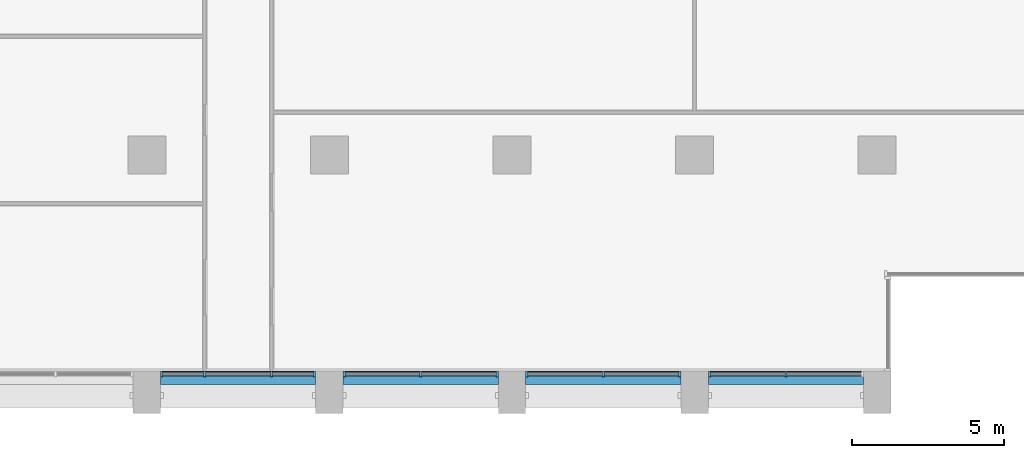
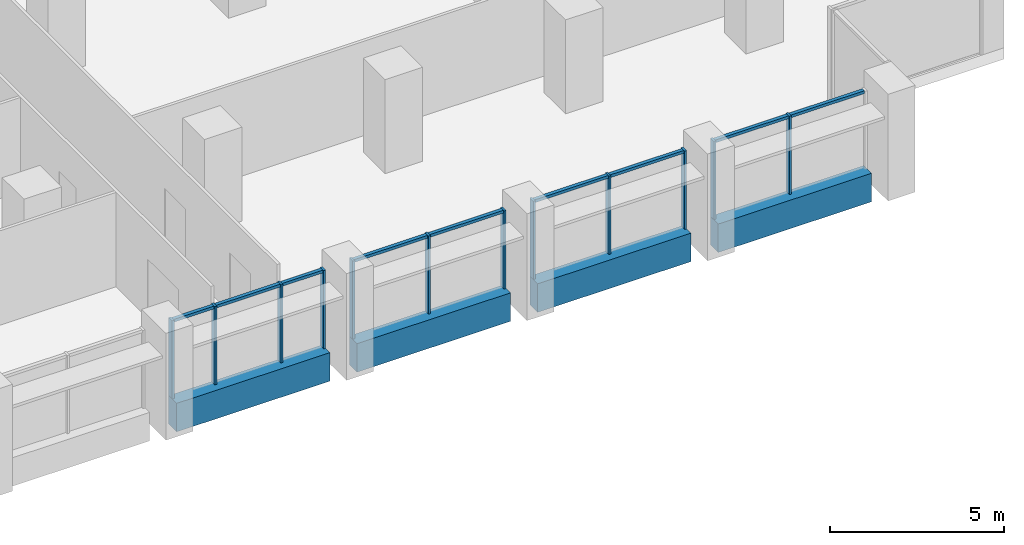
# One storey, part 3 of 15: 21 members, 4 beams, 4 elements without a shape of their own.
"""IFC4 building model written with IfcOpenShell, lengths in metres."""

from ifc_helpers import new_model, si_unit, direction, frame, origin, origin_2d, place, context, subcontext, project, spatial, rectangle, extrude, material, material_profile, profile_set, type_object, element, aggregate, save


model = new_model("IFC4")

# Units and contexts
model_context = context("Model", 3, precision=1e-05, world=origin(), true_north=direction((0.0, 1.0)))
body_context = subcontext(model_context, "Body", "Model", "MODEL_VIEW")
ifc_project = project(units=[si_unit("LENGTHUNIT", "METRE"), si_unit("AREAUNIT", "SQUARE_METRE"), si_unit("VOLUMEUNIT", "CUBIC_METRE"), si_unit("PLANEANGLEUNIT", "RADIAN"), si_unit("MASSUNIT", "GRAM", prefix="KILO")], contexts=[model_context])

# Site, building, storey
site_placement = place(None, origin())
site = spatial("IfcSite", under=ifc_project, at=site_placement, CompositionType="ELEMENT")
building_placement = place(site_placement, origin())
building = spatial("IfcBuilding", under=site, at=building_placement, Name="Calvaro Tower", CompositionType="ELEMENT")
storey_placement = place(building_placement, frame((0.0, 0.0, 143.75)))
storey = spatial("IfcBuildingStorey", under=building, at=storey_placement, Name="L36", CompositionType="ELEMENT", Elevation=143.75)

# Curtain wall, members
ifc_material_1 = material(Name="Anodised aluminium", Category="aluminium")
curtain_wall_type = type_object("IfcCurtainWallType", Name="Office curtain wall, middle zone", PredefinedType="NOTDEFINED", material=ifc_material_1)
curtain_wall_1_placement = place(storey_placement, origin())
curtain_wall_1 = element("IfcCurtainWall", 1, at=curtain_wall_1_placement, inside=storey, type_object=curtain_wall_type, Name="CW2 south curtain wall", PredefinedType="NOTDEFINED")
ifc_material_2 = material(Name="Anodised aluminium", Category="aluminium")
ifc_material_profile_1 = material_profile(ifc_material_2, rectangle(XDim=0.199951171875, YDim=0.070068359375, at=origin_2d()), Name="Mullion S2 70 x 200")
ifc_profile_set_1 = profile_set([ifc_material_profile_1], Name="Anodised aluminium")
member_type_1 = type_object("IfcMemberType", Name="Mullion S2 70 x 200", PredefinedType="MULLION", material=ifc_profile_set_1)
member_1_placement = place(storey_placement, frame((42.485107421875, 2.800048828125, 0.0), z_axis=(0.0, 0.0, 1.0), x_axis=(0.0, 1.0, 0.0)))
member_1 = element("IfcMember", 2, at=member_1_placement, type_object=member_type_1, Name="CW2 mullion 1", PredefinedType="MULLION", context=body_context, shape_type="SweptSolid", body=[
    extrude(rectangle(XDim=0.199951171875, YDim=0.070068359375, at=origin_2d()), origin(), (0.0, 0.0, 1.0), 2.75),
])
member_2_placement = place(storey_placement, frame((43.89990234375, 2.800048828125, 0.0), z_axis=(0.0, 0.0, 1.0), x_axis=(0.0, 1.0, 0.0)))
member_2 = element("IfcMember", 3, at=member_2_placement, type_object=member_type_1, Name="CW2 mullion 2", PredefinedType="MULLION", context=body_context, shape_type="SweptSolid", body=[
    extrude(rectangle(XDim=0.199951171875, YDim=0.070068359375, at=origin_2d()), origin(), (0.0, 0.0, 1.0), 2.75),
])
member_3_placement = place(storey_placement, frame((46.10009765625, 2.800048828125, 0.0), z_axis=(0.0, 0.0, 1.0), x_axis=(0.0, 1.0, 0.0)))
member_3 = element("IfcMember", 4, at=member_3_placement, type_object=member_type_1, Name="CW2 mullion 3", PredefinedType="MULLION", context=body_context, shape_type="SweptSolid", body=[
    extrude(rectangle(XDim=0.199951171875, YDim=0.070068359375, at=origin_2d()), origin(), (0.0, 0.0, 1.0), 2.75),
])
member_4_placement = place(storey_placement, frame((47.514892578125, 2.800048828125, 0.0), z_axis=(0.0, 0.0, 1.0), x_axis=(0.0, 1.0, 0.0)))
member_4 = element("IfcMember", 5, at=member_4_placement, type_object=member_type_1, Name="CW2 mullion 4", PredefinedType="MULLION", context=body_context, shape_type="SweptSolid", body=[
    extrude(rectangle(XDim=0.199951171875, YDim=0.070068359375, at=origin_2d()), origin(), (0.0, 0.0, 1.0), 2.75),
])

curtain_wall_2_placement = place(storey_placement, origin())
curtain_wall_2 = element("IfcCurtainWall", 6, at=curtain_wall_2_placement, inside=storey, type_object=curtain_wall_type, Name="CW2 south curtain wall", PredefinedType="NOTDEFINED")
member_5_placement = place(storey_placement, frame((48.485107421875, 2.800048828125, 0.0), z_axis=(0.0, 0.0, 1.0), x_axis=(0.0, 1.0, 0.0)))
member_5 = element("IfcMember", 7, at=member_5_placement, type_object=member_type_1, Name="CW2 mullion 1", PredefinedType="MULLION", context=body_context, shape_type="SweptSolid", body=[
    extrude(rectangle(XDim=0.199951171875, YDim=0.070068359375, at=origin_2d()), origin(), (0.0, 0.0, 1.0), 2.75),
])
member_6_placement = place(storey_placement, frame((51.0, 2.800048828125, 0.0), z_axis=(0.0, 0.0, 1.0), x_axis=(0.0, 1.0, 0.0)))
member_6 = element("IfcMember", 8, at=member_6_placement, type_object=member_type_1, Name="CW2 mullion 2", PredefinedType="MULLION", context=body_context, shape_type="SweptSolid", body=[
    extrude(rectangle(XDim=0.199951171875, YDim=0.070068359375, at=origin_2d()), origin(), (0.0, 0.0, 1.0), 2.75),
])
member_7_placement = place(storey_placement, frame((53.514892578125, 2.800048828125, 0.0), z_axis=(0.0, 0.0, 1.0), x_axis=(0.0, 1.0, 0.0)))
member_7 = element("IfcMember", 9, at=member_7_placement, type_object=member_type_1, Name="CW2 mullion 3", PredefinedType="MULLION", context=body_context, shape_type="SweptSolid", body=[
    extrude(rectangle(XDim=0.199951171875, YDim=0.070068359375, at=origin_2d()), origin(), (0.0, 0.0, 1.0), 2.75),
])

curtain_wall_3_placement = place(storey_placement, origin())
curtain_wall_3 = element("IfcCurtainWall", 10, at=curtain_wall_3_placement, inside=storey, type_object=curtain_wall_type, Name="CW2 south curtain wall", PredefinedType="NOTDEFINED")
member_8_placement = place(storey_placement, frame((54.485107421875, 2.800048828125, 0.0), z_axis=(0.0, 0.0, 1.0), x_axis=(0.0, 1.0, 0.0)))
member_8 = element("IfcMember", 11, at=member_8_placement, type_object=member_type_1, Name="CW2 mullion 1", PredefinedType="MULLION", context=body_context, shape_type="SweptSolid", body=[
    extrude(rectangle(XDim=0.199951171875, YDim=0.070068359375, at=origin_2d()), origin(), (0.0, 0.0, 1.0), 2.75),
])
member_9_placement = place(storey_placement, frame((57.0, 2.800048828125, 0.0), z_axis=(0.0, 0.0, 1.0), x_axis=(0.0, 1.0, 0.0)))
member_9 = element("IfcMember", 12, at=member_9_placement, type_object=member_type_1, Name="CW2 mullion 2", PredefinedType="MULLION", context=body_context, shape_type="SweptSolid", body=[
    extrude(rectangle(XDim=0.199951171875, YDim=0.070068359375, at=origin_2d()), origin(), (0.0, 0.0, 1.0), 2.75),
])
member_10_placement = place(storey_placement, frame((59.514892578125, 2.800048828125, 0.0), z_axis=(0.0, 0.0, 1.0), x_axis=(0.0, 1.0, 0.0)))
member_10 = element("IfcMember", 13, at=member_10_placement, type_object=member_type_1, Name="CW2 mullion 3", PredefinedType="MULLION", context=body_context, shape_type="SweptSolid", body=[
    extrude(rectangle(XDim=0.199951171875, YDim=0.070068359375, at=origin_2d()), origin(), (0.0, 0.0, 1.0), 2.75),
])

curtain_wall_4_placement = place(storey_placement, origin())
curtain_wall_4 = element("IfcCurtainWall", 14, at=curtain_wall_4_placement, inside=storey, type_object=curtain_wall_type, Name="CW2 south curtain wall", PredefinedType="NOTDEFINED")
member_11_placement = place(storey_placement, frame((60.485107421875, 2.800048828125, 0.0), z_axis=(0.0, 0.0, 1.0), x_axis=(0.0, 1.0, 0.0)))
member_11 = element("IfcMember", 15, at=member_11_placement, type_object=member_type_1, Name="CW2 mullion 1", PredefinedType="MULLION", context=body_context, shape_type="SweptSolid", body=[
    extrude(rectangle(XDim=0.199951171875, YDim=0.070068359375, at=origin_2d()), origin(), (0.0, 0.0, 1.0), 2.75),
])
member_12_placement = place(storey_placement, frame((63.0, 2.800048828125, 0.0), z_axis=(0.0, 0.0, 1.0), x_axis=(0.0, 1.0, 0.0)))
member_12 = element("IfcMember", 16, at=member_12_placement, type_object=member_type_1, Name="CW2 mullion 2", PredefinedType="MULLION", context=body_context, shape_type="SweptSolid", body=[
    extrude(rectangle(XDim=0.199951171875, YDim=0.070068359375, at=origin_2d()), origin(), (0.0, 0.0, 1.0), 2.75),
])

# Beams
ifc_material_3 = material(Name="Concrete C50/60 precast", Category="concrete")
ifc_material_profile_2 = material_profile(ifc_material_3, rectangle(XDim=0.449951171875, YDim=1.0, at=origin_2d()), Name="RC 450x1000")
ifc_profile_set_2 = profile_set([ifc_material_profile_2], Name="Concrete C50/60 precast")
beam_type = type_object("IfcBeamType", Name="Spandrel beam 450x1000 C50/60", PredefinedType="SPANDREL", material=ifc_profile_set_2)
for number, where, z_axis, x_axis, name in (
    (17, (42.449951171875, 2.675048828125, -0.5), (1.0, 0.0, 0.0), (0.0, 1.0, 0.0), "Spandrel beam"),
    (18, (48.449951171875, 2.675048828125, -0.5), (1.0, 0.0, 0.0), (0.0, 1.0, 0.0), "Spandrel beam"),
    (19, (54.449951171875, 2.675048828125, -0.5), (1.0, 0.0, 0.0), (0.0, 1.0, 0.0), "Spandrel beam"),
    (20, (60.449951171875, 2.675048828125, -0.5), (1.0, 0.0, 0.0), (0.0, 1.0, 0.0), "Spandrel beam"),
):
    element("IfcBeam", number, at=place(storey_placement, frame(where, z_axis=z_axis, x_axis=x_axis)), inside=storey, type_object=beam_type, Name=name, PredefinedType="SPANDREL", context=body_context, shape_type="SweptSolid", body=[
        extrude(rectangle(XDim=0.449951171875, YDim=1.0, at=origin_2d()), origin(), (0.0, 0.0, 1.0), 5.10009765625),
    ])

# Member
ifc_material_4 = material(Name="Anodised aluminium", Category="aluminium")
ifc_material_profile_3 = material_profile(ifc_material_4, rectangle(XDim=0.1201171875, YDim=0.10009765625, at=origin_2d()), Name="Transom S2 100 x 120")
ifc_profile_set_3 = profile_set([ifc_material_profile_3], Name="Anodised aluminium")
member_type_2 = type_object("IfcMemberType", Name="Transom S2 100 x 120", PredefinedType="USERDEFINED", material=ifc_profile_set_3)
member_13_placement = place(storey_placement, frame((42.52001953125, 2.800048828125, 2.699951171875), z_axis=(1.0, 0.0, 0.0), x_axis=(0.0, 1.0, 0.0)))
member_13 = element("IfcMember", 21, at=member_13_placement, type_object=member_type_2, Name="CW2 transom 1.1", ObjectType="TRANSOM", PredefinedType="USERDEFINED", context=body_context, shape_type="SweptSolid", body=[
    extrude(rectangle(XDim=0.1201171875, YDim=0.10009765625, at=origin_2d()), origin(), (0.0, 0.0, 1.0), 1.344970703125),
])

member_14_placement = place(storey_placement, frame((43.93505859375, 2.800048828125, 2.699951171875), z_axis=(1.0, 0.0, 0.0), x_axis=(0.0, 1.0, 0.0)))
member_14 = element("IfcMember", 22, at=member_14_placement, type_object=member_type_2, Name="CW2 transom 2.1", ObjectType="TRANSOM", PredefinedType="USERDEFINED", context=body_context, shape_type="SweptSolid", body=[
    extrude(rectangle(XDim=0.1201171875, YDim=0.10009765625, at=origin_2d()), origin(), (0.0, 0.0, 1.0), 2.1298828125),
])

member_15_placement = place(storey_placement, frame((46.135009765625, 2.800048828125, 2.699951171875), z_axis=(1.0, 0.0, 0.0), x_axis=(0.0, 1.0, 0.0)))
member_15 = element("IfcMember", 23, at=member_15_placement, type_object=member_type_2, Name="CW2 transom 3.1", ObjectType="TRANSOM", PredefinedType="USERDEFINED", context=body_context, shape_type="SweptSolid", body=[
    extrude(rectangle(XDim=0.1201171875, YDim=0.10009765625, at=origin_2d()), origin(), (0.0, 0.0, 1.0), 1.344970703125),
])

aggregate(curtain_wall_1, [member_1, member_2, member_3, member_4, member_13, member_14, member_15])

member_16_placement = place(storey_placement, frame((48.52001953125, 2.800048828125, 2.699951171875), z_axis=(1.0, 0.0, 0.0), x_axis=(0.0, 1.0, 0.0)))
member_16 = element("IfcMember", 24, at=member_16_placement, type_object=member_type_2, Name="CW2 transom 1.1", ObjectType="TRANSOM", PredefinedType="USERDEFINED", context=body_context, shape_type="SweptSolid", body=[
    extrude(rectangle(XDim=0.1201171875, YDim=0.10009765625, at=origin_2d()), origin(), (0.0, 0.0, 1.0), 2.445068359375),
])

member_17_placement = place(storey_placement, frame((51.034912109375, 2.800048828125, 2.699951171875), z_axis=(1.0, 0.0, 0.0), x_axis=(0.0, 1.0, 0.0)))
member_17 = element("IfcMember", 25, at=member_17_placement, type_object=member_type_2, Name="CW2 transom 2.1", ObjectType="TRANSOM", PredefinedType="USERDEFINED", context=body_context, shape_type="SweptSolid", body=[
    extrude(rectangle(XDim=0.1201171875, YDim=0.10009765625, at=origin_2d()), origin(), (0.0, 0.0, 1.0), 2.445068359375),
])

aggregate(curtain_wall_2, [member_5, member_6, member_7, member_16, member_17])

member_18_placement = place(storey_placement, frame((54.52001953125, 2.800048828125, 2.699951171875), z_axis=(1.0, 0.0, 0.0), x_axis=(0.0, 1.0, 0.0)))
member_18 = element("IfcMember", 26, at=member_18_placement, type_object=member_type_2, Name="CW2 transom 1.1", ObjectType="TRANSOM", PredefinedType="USERDEFINED", context=body_context, shape_type="SweptSolid", body=[
    extrude(rectangle(XDim=0.1201171875, YDim=0.10009765625, at=origin_2d()), origin(), (0.0, 0.0, 1.0), 2.445068359375),
])

member_19_placement = place(storey_placement, frame((57.034912109375, 2.800048828125, 2.699951171875), z_axis=(1.0, 0.0, 0.0), x_axis=(0.0, 1.0, 0.0)))
member_19 = element("IfcMember", 27, at=member_19_placement, type_object=member_type_2, Name="CW2 transom 2.1", ObjectType="TRANSOM", PredefinedType="USERDEFINED", context=body_context, shape_type="SweptSolid", body=[
    extrude(rectangle(XDim=0.1201171875, YDim=0.10009765625, at=origin_2d()), origin(), (0.0, 0.0, 1.0), 2.445068359375),
])

aggregate(curtain_wall_3, [member_8, member_9, member_10, member_18, member_19])

member_20_placement = place(storey_placement, frame((60.52001953125, 2.800048828125, 2.699951171875), z_axis=(1.0, 0.0, 0.0), x_axis=(0.0, 1.0, 0.0)))
member_20 = element("IfcMember", 28, at=member_20_placement, type_object=member_type_2, Name="CW2 transom 1.1", ObjectType="TRANSOM", PredefinedType="USERDEFINED", context=body_context, shape_type="SweptSolid", body=[
    extrude(rectangle(XDim=0.1201171875, YDim=0.10009765625, at=origin_2d()), origin(), (0.0, 0.0, 1.0), 2.445068359375),
])

member_21_placement = place(storey_placement, frame((63.034912109375, 2.800048828125, 2.699951171875), z_axis=(1.0, 0.0, 0.0), x_axis=(0.0, 1.0, 0.0)))
member_21 = element("IfcMember", 29, at=member_21_placement, type_object=member_type_2, Name="CW2 transom 2.1", ObjectType="TRANSOM", PredefinedType="USERDEFINED", context=body_context, shape_type="SweptSolid", body=[
    extrude(rectangle(XDim=0.1201171875, YDim=0.10009765625, at=origin_2d()), origin(), (0.0, 0.0, 1.0), 2.445068359375),
])

aggregate(curtain_wall_4, [member_11, member_12, member_20, member_21])

save(model, "model.ifc")
